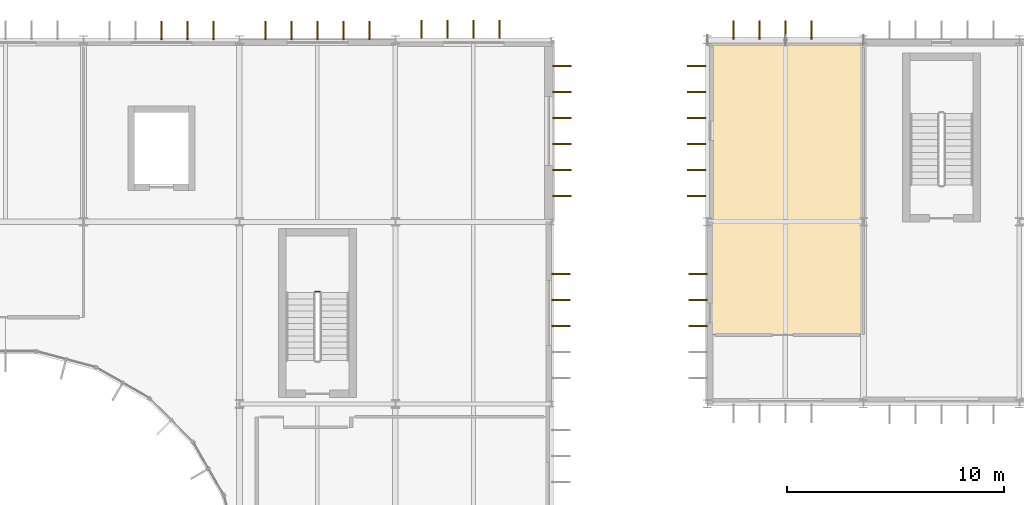
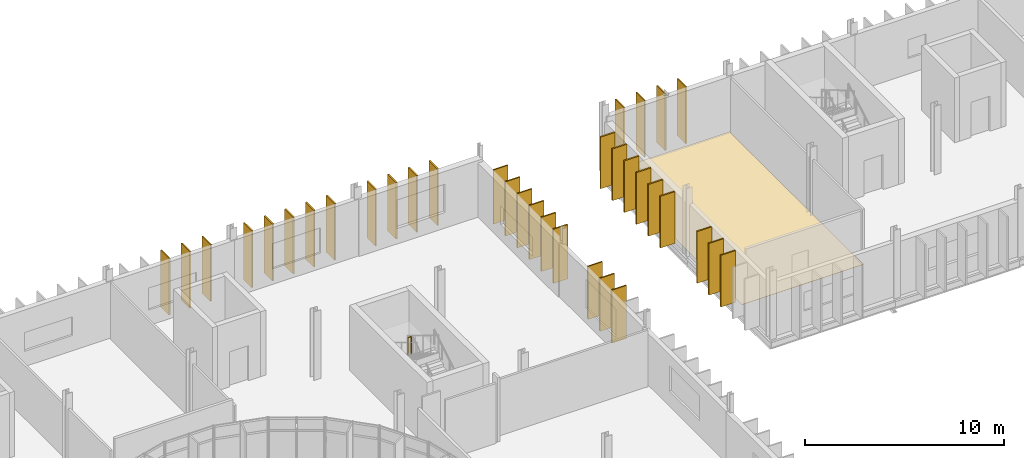
# One storey, part 113 of 119: 34 shading devices, 1 covering, 1 railing.
"""IFC4 building model written with IfcOpenShell, lengths in metres."""

import ifcopenshell
import ifcopenshell.guid

model = None  # the IFC model being written
_history = None  # IfcOwnerHistory: only IFC2X3 demands one
_inside = {}  # id of a spatial element -> (the spatial element, [elements in it])
_under = {}  # id of a project, library or spatial element -> (it, [spatial elements below it])
_declared = {}  # id of a project -> (the project, [libraries it declares])
_typed = {}  # id of a type object -> (the type object, [elements of that type])
_made_of = {}  # id of a material, layer set ... -> (it, [elements and type objects made of it])


def new_model(schema):
    """Start an empty IFC model of exactly this schema.

    Asked for "IFC4X3", IfcOpenShell would pick the latest addendum, in which some entities
    have other attributes; the version numbers below select the first issue.
    IFC2X3 requires an IfcOwnerHistory on every rooted entity: one is made here for all.
    """
    global model, _history
    if schema == "IFC4X3":
        model = ifcopenshell.file(schema_version=(4, 3, 0, 0))
    else:
        model = ifcopenshell.file(schema=schema)
    _inside.clear()
    _under.clear()
    _declared.clear()
    _typed.clear()
    _made_of.clear()
    _history = None
    if model.schema == "IFC2X3":
        org = make("IfcOrganization", Name="unknown")
        user = make(
            "IfcPersonAndOrganization",
            ThePerson=make("IfcPerson", FamilyName="unknown"),
            TheOrganization=org,
        )
        app = make(
            "IfcApplication",
            ApplicationDeveloper=org,
            Version="unknown",
            ApplicationFullName="unknown",
            ApplicationIdentifier="unknown",
        )
        _history = make(
            "IfcOwnerHistory",
            OwningUser=user,
            OwningApplication=app,
            ChangeAction="ADDED",
            CreationDate=0,
        )
    return model


def make(cls, **values):
    """One entity of the class cls with the attributes given. An attribute that is None is left unset."""
    return model.create_entity(
        cls, **{name: value for name, value in values.items() if value is not None}
    )


def rooted(cls, **values):
    """An entity with a GlobalId (a new one), such as an element, a storey or a relation."""
    return make(cls, GlobalId=ifcopenshell.guid.new(), OwnerHistory=_history, **values)


def si_unit(unit_type, name, prefix=None):
    """IfcSIUnit, for example si_unit("LENGTHUNIT", "METRE", prefix="MILLI")."""
    return make("IfcSIUnit", UnitType=unit_type, Prefix=prefix, Name=name)


def assignment(units):
    """IfcUnitAssignment: the units of a project."""
    return None if units is None else make("IfcUnitAssignment", Units=units)


def point(xyz):
    """IfcCartesianPoint."""
    return None if xyz is None else make("IfcCartesianPoint", Coordinates=xyz)


def direction(xyz):
    """IfcDirection."""
    return None if xyz is None else make("IfcDirection", DirectionRatios=xyz)


def frame(location, z_axis=None, x_axis=None):
    """IfcAxis2Placement3D, a coordinate frame: its origin and axes. An axis left out is left unset."""
    return make(
        "IfcAxis2Placement3D",
        Location=point(location),
        Axis=direction(z_axis),
        RefDirection=direction(x_axis),
    )


def frame_2d(location, x_axis=None):
    """IfcAxis2Placement2D, a coordinate frame in the plane: its origin and x axis."""
    return make(
        "IfcAxis2Placement2D", Location=point(location), RefDirection=direction(x_axis)
    )


def origin():
    """The frame at (0, 0, 0) with its axes left unset."""
    return frame((0.0, 0.0, 0.0))


def origin_2d():
    """The frame at (0, 0) in the plane with its x axis left unset."""
    return frame_2d((0.0, 0.0))


def place(relative_to, where):
    """IfcLocalPlacement: puts the frame where relative to a parent placement (None: the world)."""
    return make(
        "IfcLocalPlacement", PlacementRelTo=relative_to, RelativePlacement=where
    )


def context(
    kind, dimensions, precision=None, world=None, true_north=None, identifier=None
):
    """IfcGeometricRepresentationContext, for example the 3D "Model" context."""
    return make(
        "IfcGeometricRepresentationContext",
        ContextIdentifier=identifier,
        ContextType=kind,
        CoordinateSpaceDimension=dimensions,
        Precision=precision,
        WorldCoordinateSystem=world,
        TrueNorth=true_north,
    )


def subcontext(parent, identifier, kind, view, scale=None):
    """IfcGeometricRepresentationSubContext, for example "Body" below "Model"."""
    return make(
        "IfcGeometricRepresentationSubContext",
        ContextIdentifier=identifier,
        ContextType=kind,
        ParentContext=parent,
        TargetScale=scale,
        TargetView=view,
    )


def project(units=None, contexts=None):
    """IfcProject with its units and contexts."""
    return rooted(
        "IfcProject",
        Name="project",
        RepresentationContexts=contexts,
        UnitsInContext=assignment(units),
    )


def spatial(cls, under=None, at=None, **own):
    """A site, building, storey or space (cls), placed at a placement, below another one or the project."""
    s = rooted(cls, ObjectPlacement=at, **own)
    if under is not None:
        _under.setdefault(under.id(), (under, []))[1].append(s)
    return s


def polyline(points):
    """IfcPolyline through the points."""
    return make("IfcPolyline", Points=[point(p) for p in points])


def profile(cls, at=None, kind="AREA", **sizes):
    """A parametric profile (cls). Its sizes go by their IFC names, for example OverallWidth=200.0."""
    return make(cls, ProfileType=kind, Position=at, **sizes)


def rectangle(**sizes):
    """IfcRectangleProfileDef."""
    return profile("IfcRectangleProfileDef", **sizes)


def circle(**sizes):
    """IfcCircleProfileDef."""
    return profile("IfcCircleProfileDef", **sizes)


def outline(outer, holes=None, kind="AREA"):
    """IfcArbitraryClosedProfileDef: a profile drawn as a closed curve; with holes, ...WithVoids."""
    if holes is None:
        return make("IfcArbitraryClosedProfileDef", ProfileType=kind, OuterCurve=outer)
    return make(
        "IfcArbitraryProfileDefWithVoids",
        ProfileType=kind,
        OuterCurve=outer,
        InnerCurves=holes,
    )


def extrude(swept, where, along, depth):
    """IfcExtrudedAreaSolid: the profile swept, set in the frame where, extruded along a direction by depth."""
    return make(
        "IfcExtrudedAreaSolid",
        SweptArea=swept,
        Position=where,
        ExtrudedDirection=direction(along),
        Depth=depth,
    )


def shape(context_of_items, identifier, shape_type, items):
    """IfcShapeRepresentation: the items that make up one representation, for example the "Body"."""
    return make(
        "IfcShapeRepresentation",
        ContextOfItems=context_of_items,
        RepresentationIdentifier=identifier,
        RepresentationType=shape_type,
        Items=items,
    )


def material(Name=None, Category=None):
    """IfcMaterial."""
    return make("IfcMaterial", Name=Name, Category=Category)


def layer(
    of_material, thickness, ventilated=None, Name=None, Category=None, Priority=None
):
    """IfcMaterialLayer: one layer of a wall or slab, of a material (None: an air gap)."""
    return make(
        "IfcMaterialLayer",
        Material=of_material,
        LayerThickness=thickness,
        IsVentilated=ventilated,
        Name=Name,
        Category=Category,
        Priority=Priority,
    )


def layer_set(layers, Name=None):
    """IfcMaterialLayerSet."""
    return make("IfcMaterialLayerSet", MaterialLayers=layers, LayerSetName=Name)


def made_of(thing, what):
    """Note that an element or type object is made of a material, layer set ...; save() writes the relation."""
    if what is not None:
        _made_of.setdefault(what.id(), (what, []))[1].append(thing)
    return thing


def type_object(cls, material=None, **own):
    """A type object (cls), such as IfcWallType, which elements share."""
    return made_of(rooted(cls, **own), material)


def element(
    cls,
    number,
    at=None,
    inside=None,
    cuts=None,
    type_object=None,
    material=None,
    context=None,
    identifier="Body",
    shape_type=None,
    held_by="IfcProductDefinitionShape",
    body=None,
    shapes=None,
    **own,
):
    """One element of the class cls, such as IfcWall. Its Tag is "e" and its number.

    at: its placement. inside: the storey or other place that contains it. cuts: it is an
    opening in that element (IfcRelVoidsElement). A single representation is given by context,
    identifier, shape_type and body (its items); several are given by shapes. held_by: the class
    of the entity that holds the representations. save() writes the other relations.
    """
    e = rooted(cls, Tag="e%d" % number, ObjectPlacement=at, **own)
    if body is not None:
        shapes = [shape(context, identifier, shape_type, body)]
    if shapes is not None:
        e.Representation = make(held_by, Representations=shapes)
    if inside is not None:
        _inside.setdefault(inside.id(), (inside, []))[1].append(e)
    if cuts is not None:
        rooted(
            "IfcRelVoidsElement", RelatingBuildingElement=cuts, RelatedOpeningElement=e
        )
    if type_object is not None:
        _typed.setdefault(type_object.id(), (type_object, []))[1].append(e)
    return made_of(e, material)


def aggregate(whole, parts):
    """IfcRelAggregates: a whole, such as a stair, and the parts it consists of."""
    return rooted("IfcRelAggregates", RelatingObject=whole, RelatedObjects=parts)


def save(model, path):
    """Write the relations noted so far, then the file.

    IfcRelAggregates (storeys below a building ...), IfcRelContainedInSpatialStructure (elements
    in a storey), IfcRelDefinesByType, IfcRelAssociatesMaterial and IfcRelDeclares: one each for
    every whole, place, type object, material and project.
    """
    for whole, parts in _under.values():
        aggregate(whole, parts)
    for where, things in _inside.values():
        rooted(
            "IfcRelContainedInSpatialStructure",
            RelatedElements=things,
            RelatingStructure=where,
        )
    for kind, things in _typed.values():
        rooted("IfcRelDefinesByType", RelatedObjects=things, RelatingType=kind)
    for what, things in _made_of.values():
        rooted("IfcRelAssociatesMaterial", RelatedObjects=things, RelatingMaterial=what)
    for by, libraries in _declared.values():
        rooted("IfcRelDeclares", RelatingContext=by, RelatedDefinitions=libraries)
    model.write(path)


model = new_model("IFC4")

# Units and contexts
model_context = context("Model", 3, precision=1e-05, world=origin(), true_north=direction((0.0, 1.0)))
body_context = subcontext(model_context, "Body", "Model", "MODEL_VIEW")
ifc_project = project(units=[si_unit("LENGTHUNIT", "METRE"), si_unit("AREAUNIT", "SQUARE_METRE"), si_unit("VOLUMEUNIT", "CUBIC_METRE"), si_unit("PLANEANGLEUNIT", "RADIAN"), si_unit("MASSUNIT", "GRAM", prefix="KILO")], contexts=[model_context])

# Site, building, storey
site_placement = place(None, origin())
site = spatial("IfcSite", under=ifc_project, at=site_placement, CompositionType="ELEMENT")
building_placement = place(site_placement, origin())
building = spatial("IfcBuilding", under=site, at=building_placement, Name="Qelthora Terrace Specialist Clinic", CompositionType="ELEMENT")
storey_placement = place(building_placement, frame((0.0, 0.0, 4.800048828125)))
storey = spatial("IfcBuildingStorey", under=building, at=storey_placement, Name="L01", CompositionType="ELEMENT", Elevation=4.800048828125)

# Covering
ifc_material_1 = material(Name="Antimicrobial clinical linoleum flooring", Category="other")
ifc_layer = layer(ifc_material_1, 0.011962890625)
ifc_layer_set = layer_set([ifc_layer], Name="Antimicrobial clinical linoleum flooring")
covering_type = type_object("IfcCoveringType", Name="COV-FLR-LINO-12", PredefinedType="FLOORING", material=ifc_layer_set)
covering_placement = place(storey_placement, origin())
element("IfcCovering", 1, at=covering_placement, inside=storey, type_object=covering_type, Name="Clinical Faculty Conference L01-65 resilient linoleum flooring", PredefinedType="FLOORING", context=body_context, shape_type="SweptSolid", body=[
    extrude(outline(polyline([(57.75, 95.60009765625), (57.75, 109.050048828125), (64.800048828125, 109.050048828125), (64.800048828125, 95.60009765625), (57.75, 95.60009765625)])), origin(), (0.0, 0.0, 1.0), 0.011962890625),
])

# Railing
ifc_material_2 = material(Name="Steel S355", Category="steel")
railing_type = type_object("IfcRailingType", Name="RAL-GD-1100-S355", PredefinedType="GUARDRAIL", material=ifc_material_2)
railing_placement = place(storey_placement, frame((39.699951171875, 97.5849609375, 2.099853515625)))
element("IfcRailing", 2, at=railing_placement, inside=storey, type_object=railing_type, Name="L01 ST-02 stair guard 2", PredefinedType="GUARDRAIL", context=body_context, shape_type="SweptSolid", body=[
    extrude(circle(Radius=0.02392578125, at=origin_2d()), frame((0.0, 0.0, 1.076171875), z_axis=(-1.0, 0.0, 0.0), x_axis=(0.0, -1.0, 0.0)), (0.0, 0.0, 1.0), 0.199951171875),
    extrude(circle(Radius=0.02099609375, at=origin_2d()), origin(), (0.0, 0.0, 1.0), 1.052001953125),
    extrude(circle(Radius=0.02099609375, at=origin_2d()), frame((-0.199951171875, 0.0, 0.0)), (0.0, 0.0, 1.0), 1.052001953125),
])

# Shading devices
ifc_material_3 = material(Name="Glulam timber GL28h", Category="wood")
shading_device_type = type_object("IfcShadingDeviceType", Name="SHD-FIN-850", PredefinedType="USERDEFINED", material=ifc_material_3)
for number, where, z_axis, x_axis, name in (
    (3, (32.39990234375, 109.64501953125, 0.0), (0.0, 0.0, 1.0), (0.0, 1.0, 0.0), "Exterior solar shading fin FIN-0725"),
    (4, (33.60009765625, 109.64501953125, 0.0), (0.0, 0.0, 1.0), (0.0, 1.0, 0.0), "Exterior solar shading fin FIN-0726"),
    (5, (34.800048828125, 109.64501953125, 0.0), (0.0, 0.0, 1.0), (0.0, 1.0, 0.0), "Exterior solar shading fin FIN-0727"),
    (6, (37.199951171875, 109.635009765625, 0.0), (0.0, 0.0, 1.0), (0.0, 1.0, 0.0), "Exterior solar shading fin FIN-0728"),
    (7, (38.39990234375, 109.635009765625, 0.0), (0.0, 0.0, 1.0), (0.0, 1.0, 0.0), "Exterior solar shading fin FIN-0729"),
    (8, (39.60009765625, 109.635009765625, 0.0), (0.0, 0.0, 1.0), (0.0, 1.0, 0.0), "Exterior solar shading fin FIN-0730"),
    (9, (40.800048828125, 109.635009765625, 0.0), (0.0, 0.0, 1.0), (0.0, 1.0, 0.0), "Exterior solar shading fin FIN-0731"),
    (10, (42.0, 109.635009765625, 0.0), (0.0, 0.0, 1.0), (0.0, 1.0, 0.0), "Exterior solar shading fin FIN-0732"),
    (11, (44.39990234375, 109.695068359375, 0.0), (0.0, 0.0, 1.0), (0.0, 1.0, 0.0), "Exterior solar shading fin FIN-0733"),
    (12, (45.60009765625, 109.695068359375, 0.0), (0.0, 0.0, 1.0), (0.0, 1.0, 0.0), "Exterior solar shading fin FIN-0734"),
    (13, (46.800048828125, 109.695068359375, 0.0), (0.0, 0.0, 1.0), (0.0, 1.0, 0.0), "Exterior solar shading fin FIN-0735"),
    (14, (48.0, 109.695068359375, 0.0), (0.0, 0.0, 1.0), (0.0, 1.0, 0.0), "Exterior solar shading fin FIN-0736"),
):
    element("IfcShadingDevice", number, at=place(storey_placement, frame(where, z_axis=z_axis, x_axis=x_axis)), inside=storey, type_object=shading_device_type, Name=name, ObjectType="FIN", PredefinedType="USERDEFINED", context=body_context, shape_type="SweptSolid", body=[
        extrude(rectangle(XDim=0.85009765625, YDim=0.080078125, at=origin_2d()), origin(), (0.0, 0.0, 1.0), 3.48193359375),
    ])
for number, where, z_axis, x_axis, name in (
    (15, (50.8349609375, 96.0, 0.0), (0.0, 0.0, 1.0), (1.0, 0.0, 0.0), "Exterior solar shading fin FIN-0756"),
    (16, (50.8349609375, 97.199951171875, 0.0), (0.0, 0.0, 1.0), (1.0, 0.0, 0.0), "Exterior solar shading fin FIN-0757"),
    (17, (50.8349609375, 98.39990234375, 0.0), (0.0, 0.0, 1.0), (1.0, 0.0, 0.0), "Exterior solar shading fin FIN-0758"),
):
    element("IfcShadingDevice", number, at=place(storey_placement, frame(where, z_axis=z_axis, x_axis=x_axis)), inside=storey, type_object=shading_device_type, Name=name, ObjectType="FIN", PredefinedType="USERDEFINED", context=body_context, shape_type="SweptSolid", body=[
        extrude(rectangle(XDim=0.85009765625, YDim=0.080078125, at=origin_2d()), origin(), (0.0, 0.0, 1.0), 3.2490234375),
    ])
for number, where, z_axis, x_axis, name in (
    (18, (50.89501953125, 102.0, 0.0), (0.0, 0.0, 1.0), (1.0, 0.0, 0.0), "Exterior solar shading fin FIN-0759"),
    (19, (50.89501953125, 103.199951171875, 0.0), (0.0, 0.0, 1.0), (1.0, 0.0, 0.0), "Exterior solar shading fin FIN-0760"),
    (20, (50.89501953125, 104.39990234375, 0.0), (0.0, 0.0, 1.0), (1.0, 0.0, 0.0), "Exterior solar shading fin FIN-0761"),
    (21, (50.89501953125, 105.60009765625, 0.0), (0.0, 0.0, 1.0), (1.0, 0.0, 0.0), "Exterior solar shading fin FIN-0762"),
    (22, (50.89501953125, 106.800048828125, 0.0), (0.0, 0.0, 1.0), (1.0, 0.0, 0.0), "Exterior solar shading fin FIN-0763"),
    (23, (50.89501953125, 108.0, 0.0), (0.0, 0.0, 1.0), (1.0, 0.0, 0.0), "Exterior solar shading fin FIN-0764"),
):
    element("IfcShadingDevice", number, at=place(storey_placement, frame(where, z_axis=z_axis, x_axis=x_axis)), inside=storey, type_object=shading_device_type, Name=name, ObjectType="FIN", PredefinedType="USERDEFINED", context=body_context, shape_type="SweptSolid", body=[
        extrude(rectangle(XDim=0.85009765625, YDim=0.080078125, at=origin_2d()), origin(), (0.0, 0.0, 1.0), 3.324951171875),
    ])
for number, where, z_axis, x_axis, name in (
    (24, (57.1650390625, 96.0, 0.0), (0.0, 0.0, 1.0), (-1.0, 0.0, 0.0), "Exterior solar shading fin FIN-0807"),
    (25, (57.1650390625, 97.199951171875, 0.0), (0.0, 0.0, 1.0), (-1.0, 0.0, 0.0), "Exterior solar shading fin FIN-0808"),
    (26, (57.1650390625, 98.39990234375, 0.0), (0.0, 0.0, 1.0), (-1.0, 0.0, 0.0), "Exterior solar shading fin FIN-0809"),
    (27, (57.10498046875, 102.0, 0.0), (0.0, 0.0, 1.0), (-1.0, 0.0, 0.0), "Exterior solar shading fin FIN-0810"),
    (28, (57.10498046875, 103.199951171875, 0.0), (0.0, 0.0, 1.0), (-1.0, 0.0, 0.0), "Exterior solar shading fin FIN-0811"),
    (29, (57.10498046875, 104.39990234375, 0.0), (0.0, 0.0, 1.0), (-1.0, 0.0, 0.0), "Exterior solar shading fin FIN-0812"),
    (30, (57.10498046875, 105.60009765625, 0.0), (0.0, 0.0, 1.0), (-1.0, 0.0, 0.0), "Exterior solar shading fin FIN-0813"),
    (31, (57.10498046875, 106.800048828125, 0.0), (0.0, 0.0, 1.0), (-1.0, 0.0, 0.0), "Exterior solar shading fin FIN-0814"),
    (32, (57.10498046875, 108.0, 0.0), (0.0, 0.0, 1.0), (-1.0, 0.0, 0.0), "Exterior solar shading fin FIN-0815"),
):
    element("IfcShadingDevice", number, at=place(storey_placement, frame(where, z_axis=z_axis, x_axis=x_axis)), inside=storey, type_object=shading_device_type, Name=name, ObjectType="FIN", PredefinedType="USERDEFINED", context=body_context, shape_type="SweptSolid", body=[
        extrude(rectangle(XDim=0.85009765625, YDim=0.080078125, at=origin_2d()), origin(), (0.0, 0.0, 1.0), 3.172119140625),
    ])
for number, where, z_axis, x_axis, name in (
    (33, (58.800048828125, 109.6650390625, 0.0), (0.0, 0.0, 1.0), (0.0, 1.0, 0.0), "Exterior solar shading fin FIN-0816"),
    (34, (60.0, 109.6650390625, 0.0), (0.0, 0.0, 1.0), (0.0, 1.0, 0.0), "Exterior solar shading fin FIN-0817"),
    (35, (61.199951171875, 109.6650390625, 0.0), (0.0, 0.0, 1.0), (0.0, 1.0, 0.0), "Exterior solar shading fin FIN-0818"),
    (36, (62.39990234375, 109.6650390625, 0.0), (0.0, 0.0, 1.0), (0.0, 1.0, 0.0), "Exterior solar shading fin FIN-0819"),
):
    element("IfcShadingDevice", number, at=place(storey_placement, frame(where, z_axis=z_axis, x_axis=x_axis)), inside=storey, type_object=shading_device_type, Name=name, ObjectType="FIN", PredefinedType="USERDEFINED", context=body_context, shape_type="SweptSolid", body=[
        extrude(rectangle(XDim=0.85009765625, YDim=0.080078125, at=origin_2d()), origin(), (0.0, 0.0, 1.0), 3.48193359375),
    ])

save(model, "model.ifc")
